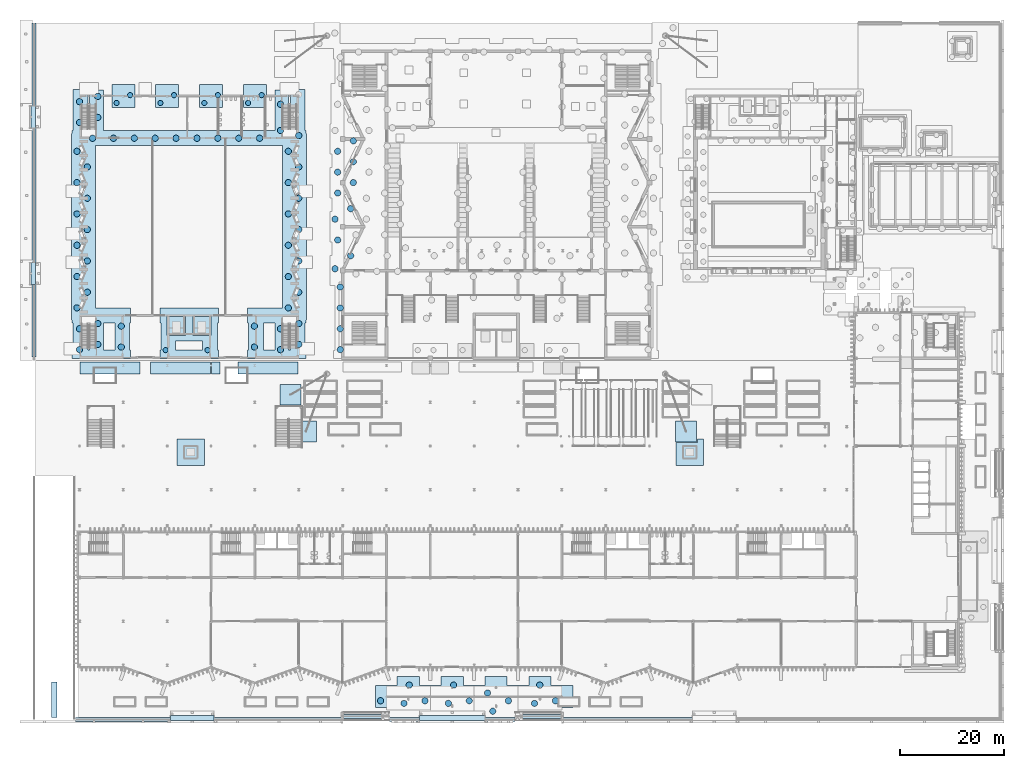
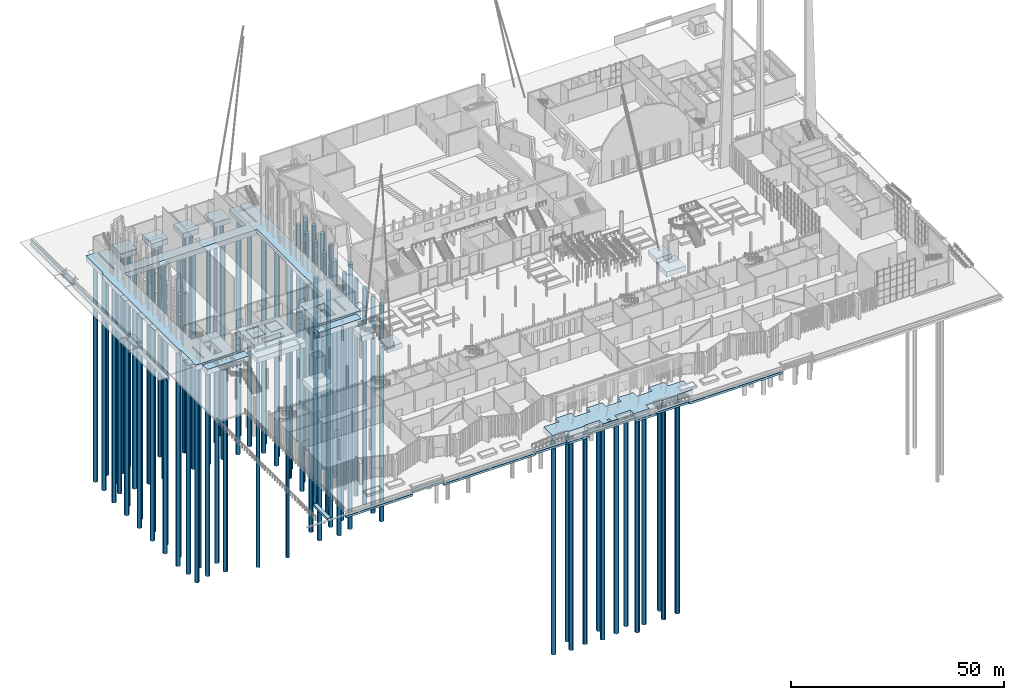
# One storey, part 1 of 108: 88 piles, 32 footings.
"""IFC4 building model written with IfcOpenShell, lengths in metres."""

from ifc_helpers import new_model, si_unit, direction, frame, origin, origin_2d, place, context, subcontext, project, spatial, polyline, rectangle, circle, outline, extrude, material, type_object, element, save


model = new_model("IFC4")

# Units and contexts
model_context = context("Model", 3, precision=1e-05, world=origin(), true_north=direction((0.0, 1.0)))
body_context = subcontext(model_context, "Body", "Model", "MODEL_VIEW")
ifc_project = project(units=[si_unit("LENGTHUNIT", "METRE"), si_unit("AREAUNIT", "SQUARE_METRE"), si_unit("VOLUMEUNIT", "CUBIC_METRE"), si_unit("PLANEANGLEUNIT", "RADIAN"), si_unit("MASSUNIT", "GRAM", prefix="KILO")], contexts=[model_context])

# Site, building, storey
site_placement = place(None, origin())
site = spatial("IfcSite", under=ifc_project, at=site_placement, CompositionType="ELEMENT")
building_placement = place(site_placement, origin())
building = spatial("IfcBuilding", under=site, at=building_placement, Name="Cresset Court Congress Hotel", CompositionType="ELEMENT")
storey_placement = place(building_placement, origin())
storey = spatial("IfcBuildingStorey", under=building, at=storey_placement, Name="L00", CompositionType="ELEMENT", Elevation=0.0)

# Footings
ifc_material_1 = material(Name="Concrete C35", Category="concrete")
footing_type_1 = type_object("IfcFootingType", Name="Anchor block 4000x4000x1500", PredefinedType="PAD_FOOTING", material=ifc_material_1)
for number, where, z_axis, x_axis, name in (
    (1, (48.800048828125, 51.800048828125, -1.800048828125), (0.0, 0.0, 1.0), (1.0, 0.0, 0.0), "Anchor block M1.1"),
    (2, (51.800048828125, 44.800048828125, -1.800048828125), (0.0, 0.0, 1.0), (1.0, 0.0, 0.0), "Anchor block M1.2"),
    (3, (124.60009765625, 44.800048828125, -1.800048828125), (0.0, 0.0, 1.0), (1.0, 0.0, 0.0), "Anchor block M2.2"),
):
    element("IfcFooting", number, at=place(storey_placement, frame(where, z_axis=z_axis, x_axis=x_axis)), inside=storey, type_object=footing_type_1, Name=name, PredefinedType="PAD_FOOTING", context=body_context, shape_type="SweptSolid", body=[
        extrude(rectangle(XDim=4.0, YDim=4.0, at=origin_2d()), origin(), (0.0, 0.0, 1.0), 1.5),
    ])

# Piles
ifc_material_2 = material(Name="Concrete C35", Category="concrete")
pile_type_1 = type_object("IfcPileType", Name="Bored pile D1000", PredefinedType="BORED", material=ifc_material_2)
for number, where, z_axis, x_axis, name in (
    (4, (15.5, 107.699951171875, -1.39990234375), (0.0, 0.0, -1.0), (1.0, 0.0, 0.0), "Pile 123-1"),
    (5, (18.10009765625, 109.199951171875, -1.39990234375), (0.0, 0.0, -1.0), (1.0, 0.0, 0.0), "Pile 123-2"),
    (6, (23.89990234375, 107.699951171875, -1.39990234375), (0.0, 0.0, -1.0), (1.0, 0.0, 0.0), "Pile 125-1"),
    (7, (26.5, 109.199951171875, -1.39990234375), (0.0, 0.0, -1.0), (1.0, 0.0, 0.0), "Pile 125-2"),
    (8, (24.89990234375, 60.35009765625, -2.800048828125), (0.0, 0.0, -1.0), (1.0, 0.0, 0.0), "Pile 126-1"),
    (9, (32.89990234375, 60.35009765625, -2.800048828125), (0.0, 0.0, -1.0), (1.0, 0.0, 0.0), "Pile 126-2"),
    (10, (32.300048828125, 107.699951171875, -1.39990234375), (0.0, 0.0, -1.0), (1.0, 0.0, 0.0), "Pile 128-1"),
    (11, (34.89990234375, 109.199951171875, -1.39990234375), (0.0, 0.0, -1.0), (1.0, 0.0, 0.0), "Pile 128-2"),
    (12, (40.699951171875, 107.699951171875, -1.39990234375), (0.0, 0.0, -1.0), (1.0, 0.0, 0.0), "Pile 130-1"),
    (13, (43.300048828125, 109.199951171875, -1.39990234375), (0.0, 0.0, -1.0), (1.0, 0.0, 0.0), "Pile 130-2"),
):
    element("IfcPile", number, at=place(storey_placement, frame(where, z_axis=z_axis, x_axis=x_axis)), inside=storey, type_object=pile_type_1, Name=name, PredefinedType="BORED", context=body_context, shape_type="SweptSolid", body=[
        extrude(circle(Radius=0.5, at=origin_2d()), origin(), (0.0, 0.0, 1.0), 62.0),
    ])
ifc_material_3 = material(Name="Concrete C35", Category="concrete")
pile_type_2 = type_object("IfcPileType", Name="Bored pile D1200", PredefinedType="BORED", material=ifc_material_3)
for number, where, z_axis, x_axis, name in (
    (14, (8.39990234375, 60.449951171875, -1.39990234375), (0.0, 0.0, -1.0), (1.0, 0.0, 0.0), "Pile 121-1"),
    (15, (46.89990234375, 60.449951171875, -1.39990234375), (0.0, 0.0, -1.0), (1.0, 0.0, 0.0), "Pile 121-2"),
    (16, (16.39990234375, 60.949951171875, -1.39990234375), (0.0, 0.0, -1.0), (1.0, 0.0, 0.0), "Pile 121-3"),
    (17, (41.89990234375, 60.949951171875, -1.39990234375), (0.0, 0.0, -1.0), (1.0, 0.0, 0.0), "Pile 121-4"),
    (18, (11.89990234375, 61.449951171875, -1.39990234375), (0.0, 0.0, -1.0), (1.0, 0.0, 0.0), "Pile 121-5"),
    (19, (50.39990234375, 61.449951171875, -1.39990234375), (0.0, 0.0, -1.0), (1.0, 0.0, 0.0), "Pile 121-6"),
    (20, (8.39990234375, 64.449951171875, -1.39990234375), (0.0, 0.0, -1.0), (1.0, 0.0, 0.0), "Pile 121-7"),
    (21, (46.89990234375, 64.449951171875, -1.39990234375), (0.0, 0.0, -1.0), (1.0, 0.0, 0.0), "Pile 121-8"),
    (22, (16.39990234375, 64.949951171875, -1.39990234375), (0.0, 0.0, -1.0), (1.0, 0.0, 0.0), "Pile 121-9"),
    (23, (41.89990234375, 64.949951171875, -1.39990234375), (0.0, 0.0, -1.0), (1.0, 0.0, 0.0), "Pile 121-10"),
    (24, (11.89990234375, 65.449951171875, -1.39990234375), (0.0, 0.0, -1.0), (1.0, 0.0, 0.0), "Pile 121-11"),
    (25, (50.39990234375, 65.449951171875, -1.39990234375), (0.0, 0.0, -1.0), (1.0, 0.0, 0.0), "Pile 121-12"),
    (26, (7.89990234375, 68.449951171875, -1.39990234375), (0.0, 0.0, -1.0), (1.0, 0.0, 0.0), "Pile 121-13"),
    (27, (48.39990234375, 68.449951171875, -1.39990234375), (0.0, 0.0, -1.0), (1.0, 0.0, 0.0), "Pile 121-14"),
    (28, (9.89990234375, 71.449951171875, -1.39990234375), (0.0, 0.0, -1.0), (1.0, 0.0, 0.0), "Pile 121-15"),
    (29, (50.39990234375, 71.449951171875, -1.39990234375), (0.0, 0.0, -1.0), (1.0, 0.0, 0.0), "Pile 121-16"),
    (30, (7.89990234375, 74.449951171875, -1.39990234375), (0.0, 0.0, -1.0), (1.0, 0.0, 0.0), "Pile 121-17"),
    (31, (48.39990234375, 74.449951171875, -1.39990234375), (0.0, 0.0, -1.0), (1.0, 0.0, 0.0), "Pile 121-18"),
    (32, (9.89990234375, 77.449951171875, -1.39990234375), (0.0, 0.0, -1.0), (1.0, 0.0, 0.0), "Pile 121-19"),
    (33, (50.39990234375, 77.449951171875, -1.39990234375), (0.0, 0.0, -1.0), (1.0, 0.0, 0.0), "Pile 121-20"),
    (34, (7.89990234375, 80.449951171875, -1.39990234375), (0.0, 0.0, -1.0), (1.0, 0.0, 0.0), "Pile 121-21"),
    (35, (48.39990234375, 80.449951171875, -1.39990234375), (0.0, 0.0, -1.0), (1.0, 0.0, 0.0), "Pile 121-22"),
    (36, (9.89990234375, 83.449951171875, -1.39990234375), (0.0, 0.0, -1.0), (1.0, 0.0, 0.0), "Pile 121-23"),
    (37, (50.39990234375, 83.449951171875, -1.39990234375), (0.0, 0.0, -1.0), (1.0, 0.0, 0.0), "Pile 121-24"),
    (38, (7.89990234375, 86.449951171875, -1.39990234375), (0.0, 0.0, -1.0), (1.0, 0.0, 0.0), "Pile 121-25"),
    (39, (48.39990234375, 86.449951171875, -1.39990234375), (0.0, 0.0, -1.0), (1.0, 0.0, 0.0), "Pile 121-26"),
    (40, (9.89990234375, 89.449951171875, -1.39990234375), (0.0, 0.0, -1.0), (1.0, 0.0, 0.0), "Pile 121-27"),
    (41, (50.39990234375, 89.449951171875, -1.39990234375), (0.0, 0.0, -1.0), (1.0, 0.0, 0.0), "Pile 121-28"),
    (42, (7.89990234375, 92.449951171875, -1.39990234375), (0.0, 0.0, -1.0), (1.0, 0.0, 0.0), "Pile 121-29"),
    (43, (48.39990234375, 92.449951171875, -1.39990234375), (0.0, 0.0, -1.0), (1.0, 0.0, 0.0), "Pile 121-30"),
    (44, (9.89990234375, 95.449951171875, -1.39990234375), (0.0, 0.0, -1.0), (1.0, 0.0, 0.0), "Pile 121-31"),
    (45, (50.39990234375, 95.449951171875, -1.39990234375), (0.0, 0.0, -1.0), (1.0, 0.0, 0.0), "Pile 121-32"),
    (46, (7.89990234375, 98.449951171875, -1.39990234375), (0.0, 0.0, -1.0), (1.0, 0.0, 0.0), "Pile 121-33"),
    (47, (48.39990234375, 98.449951171875, -1.39990234375), (0.0, 0.0, -1.0), (1.0, 0.0, 0.0), "Pile 121-34"),
    (48, (10.89990234375, 100.949951171875, -1.39990234375), (0.0, 0.0, -1.0), (1.0, 0.0, 0.0), "Pile 121-35"),
    (49, (14.89990234375, 100.949951171875, -1.39990234375), (0.0, 0.0, -1.0), (1.0, 0.0, 0.0), "Pile 121-36"),
    (50, (18.89990234375, 100.949951171875, -1.39990234375), (0.0, 0.0, -1.0), (1.0, 0.0, 0.0), "Pile 121-37"),
    (51, (22.89990234375, 100.949951171875, -1.39990234375), (0.0, 0.0, -1.0), (1.0, 0.0, 0.0), "Pile 121-38"),
    (52, (26.89990234375, 100.949951171875, -1.39990234375), (0.0, 0.0, -1.0), (1.0, 0.0, 0.0), "Pile 121-39"),
    (53, (30.89990234375, 100.949951171875, -1.39990234375), (0.0, 0.0, -1.0), (1.0, 0.0, 0.0), "Pile 121-40"),
    (54, (34.89990234375, 100.949951171875, -1.39990234375), (0.0, 0.0, -1.0), (1.0, 0.0, 0.0), "Pile 121-41"),
    (55, (38.89990234375, 100.949951171875, -1.39990234375), (0.0, 0.0, -1.0), (1.0, 0.0, 0.0), "Pile 121-42"),
    (56, (42.89990234375, 100.949951171875, -1.39990234375), (0.0, 0.0, -1.0), (1.0, 0.0, 0.0), "Pile 121-43"),
    (57, (50.39990234375, 101.449951171875, -1.39990234375), (0.0, 0.0, -1.0), (1.0, 0.0, 0.0), "Pile 121-44"),
    (58, (46.89990234375, 102.449951171875, -1.39990234375), (0.0, 0.0, -1.0), (1.0, 0.0, 0.0), "Pile 121-45"),
    (59, (8.39990234375, 103.949951171875, -1.39990234375), (0.0, 0.0, -1.0), (1.0, 0.0, 0.0), "Pile 121-46"),
    (60, (11.89990234375, 104.949951171875, -1.39990234375), (0.0, 0.0, -1.0), (1.0, 0.0, 0.0), "Pile 121-47"),
    (61, (46.89990234375, 107.449951171875, -1.39990234375), (0.0, 0.0, -1.0), (1.0, 0.0, 0.0), "Pile 121-49"),
    (62, (8.39990234375, 107.949951171875, -1.39990234375), (0.0, 0.0, -1.0), (1.0, 0.0, 0.0), "Pile 121-50"),
    (63, (11.89990234375, 108.949951171875, -1.39990234375), (0.0, 0.0, -1.0), (1.0, 0.0, 0.0), "Pile 121-51"),
    (64, (58.35009765625, 60.449951171875, -1.39990234375), (0.0, 0.0, -1.0), (1.0, 0.0, 0.0), "Pile 131-1"),
    (65, (58.35009765625, 64.449951171875, -1.39990234375), (0.0, 0.0, -1.0), (1.0, 0.0, 0.0), "Pile 131-3"),
    (66, (58.35009765625, 68.449951171875, -1.39990234375), (0.0, 0.0, -1.0), (1.0, 0.0, 0.0), "Pile 131-7"),
    (67, (58.35009765625, 72.449951171875, -1.39990234375), (0.0, 0.0, -1.0), (1.0, 0.0, 0.0), "Pile 131-13"),
    (68, (57.35009765625, 75.949951171875, -1.39990234375), (0.0, 0.0, -1.0), (1.0, 0.0, 0.0), "Pile 131-28"),
    (69, (60.35009765625, 78.449951171875, -1.39990234375), (0.0, 0.0, -1.0), (1.0, 0.0, 0.0), "Pile 131-34"),
    (70, (57.85009765625, 81.449951171875, -1.39990234375), (0.0, 0.0, -1.0), (1.0, 0.0, 0.0), "Pile 131-49"),
    (71, (57.35009765625, 85.449951171875, -1.39990234375), (0.0, 0.0, -1.0), (1.0, 0.0, 0.0), "Pile 131-60"),
    (72, (60.35009765625, 87.449951171875, -1.39990234375), (0.0, 0.0, -1.0), (1.0, 0.0, 0.0), "Pile 131-67"),
    (73, (57.85009765625, 90.449951171875, -1.39990234375), (0.0, 0.0, -1.0), (1.0, 0.0, 0.0), "Pile 131-75"),
    (74, (60.85009765625, 92.449951171875, -1.39990234375), (0.0, 0.0, -1.0), (1.0, 0.0, 0.0), "Pile 131-80"),
    (75, (57.85009765625, 94.449951171875, -1.39990234375), (0.0, 0.0, -1.0), (1.0, 0.0, 0.0), "Pile 131-86"),
    (76, (60.85009765625, 96.449951171875, -1.39990234375), (0.0, 0.0, -1.0), (1.0, 0.0, 0.0), "Pile 131-92"),
    (77, (57.85009765625, 98.449951171875, -1.39990234375), (0.0, 0.0, -1.0), (1.0, 0.0, 0.0), "Pile 131-95"),
    (78, (60.85009765625, 100.449951171875, -1.39990234375), (0.0, 0.0, -1.0), (1.0, 0.0, 0.0), "Pile 131-100"),
    (79, (87.5634765625, -8.8095703125, -1.39990234375), (0.0, 0.0, -1.0), (1.0, 0.0, 0.0), "Pile 133-1"),
    (80, (70.5634765625, -7.3095703125, -1.39990234375), (0.0, 0.0, -1.0), (1.0, 0.0, 0.0), "Pile 133-2"),
    (81, (79.0634765625, -7.3095703125, -1.39990234375), (0.0, 0.0, -1.0), (1.0, 0.0, 0.0), "Pile 133-3"),
    (82, (95.5634765625, -7.3095703125, -1.39990234375), (0.0, 0.0, -1.0), (1.0, 0.0, 0.0), "Pile 133-4"),
    (83, (66.0634765625, -6.8095703125, -1.39990234375), (0.0, 0.0, -1.0), (1.0, 0.0, 0.0), "Pile 133-5"),
    (84, (74.5634765625, -6.8095703125, -1.39990234375), (0.0, 0.0, -1.0), (1.0, 0.0, 0.0), "Pile 133-6"),
    (85, (83.0634765625, -6.8095703125, -1.39990234375), (0.0, 0.0, -1.0), (1.0, 0.0, 0.0), "Pile 133-7"),
    (86, (90.5634765625, -6.8095703125, -1.39990234375), (0.0, 0.0, -1.0), (1.0, 0.0, 0.0), "Pile 133-8"),
    (87, (99.5634765625, -6.8095703125, -1.39990234375), (0.0, 0.0, -1.0), (1.0, 0.0, 0.0), "Pile 133-9"),
    (88, (86.5634765625, -5.3095703125, -1.39990234375), (0.0, 0.0, -1.0), (1.0, 0.0, 0.0), "Pile 133-10"),
    (89, (71.5634765625, -3.8095703125, -1.39990234375), (0.0, 0.0, -1.0), (1.0, 0.0, 0.0), "Pile 133-11"),
    (90, (80.0634765625, -3.8095703125, -1.39990234375), (0.0, 0.0, -1.0), (1.0, 0.0, 0.0), "Pile 133-12"),
    (91, (96.5634765625, -3.8095703125, -1.39990234375), (0.0, 0.0, -1.0), (1.0, 0.0, 0.0), "Pile 133-13"),
):
    element("IfcPile", number, at=place(storey_placement, frame(where, z_axis=z_axis, x_axis=x_axis)), inside=storey, type_object=pile_type_2, Name=name, PredefinedType="BORED", context=body_context, shape_type="SweptSolid", body=[
        extrude(circle(Radius=0.60009765625, at=origin_2d()), origin(), (0.0, 0.0, 1.0), 62.0),
    ])

# Footings
ifc_material_4 = material(Name="Concrete C35", Category="concrete")
footing_type_2 = type_object("IfcFootingType", Name="Ground pad 11.48x2.28", PredefinedType="PAD_FOOTING", material=ifc_material_4)
footing_1_placement = place(storey_placement, frame((0.0, 0.0, -1.5)))
element("IfcFooting", 92, at=footing_1_placement, inside=storey, type_object=footing_type_2, Name="Ground pad GP122", PredefinedType="PAD_FOOTING", context=body_context, shape_type="SweptSolid", body=[
    extrude(outline(polyline([(8.52001953125, 58.080078125), (20.0, 58.080078125), (20.0, 55.800048828125), (8.52001953125, 55.800048828125), (8.52001953125, 58.080078125)])), origin(), (0.0, 0.0, 1.0), 1.5),
])
footing_2_placement = place(storey_placement, frame((0.0, 0.0, -1.5)))
element("IfcFooting", 93, at=footing_2_placement, inside=storey, type_object=footing_type_2, Name="Ground pad GP129", PredefinedType="PAD_FOOTING", context=body_context, shape_type="SweptSolid", body=[
    extrude(outline(polyline([(50.280029296875, 58.080078125), (50.280029296875, 55.800048828125), (38.800048828125, 55.800048828125), (38.800048828125, 58.080078125), (50.280029296875, 58.080078125)])), origin(), (0.0, 0.0, 1.0), 1.5),
])
ifc_material_5 = material(Name="Concrete C35", Category="concrete")
footing_type_3 = type_object("IfcFootingType", Name="Ground pad 5.25x5.05", PredefinedType="PAD_FOOTING", material=ifc_material_5)
footing_3_placement = place(storey_placement, frame((0.0, 0.0, -2.949951171875)))
element("IfcFooting", 94, at=footing_3_placement, inside=storey, type_object=footing_type_3, Name="Ground pad GP127", PredefinedType="PAD_FOOTING", context=body_context, shape_type="SweptSolid", body=[
    extrude(outline(polyline([(27.074951171875, 43.324951171875), (32.324951171875, 43.324951171875), (32.324951171875, 38.27490234375), (27.074951171875, 38.27490234375), (27.074951171875, 43.324951171875)])), origin(), (0.0, 0.0, 1.0), 1.5),
])
ifc_material_6 = material(Name="Concrete C35", Category="concrete")
footing_type_4 = type_object("IfcFootingType", Name="Ground pad group 23.8 m2", PredefinedType="PAD_FOOTING", material=ifc_material_6)
footing_4_placement = place(storey_placement, frame((0.0, 0.0, -2.949951171875)))
element("IfcFooting", 95, at=footing_4_placement, inside=storey, type_object=footing_type_4, Name="Ground pad GP142", PredefinedType="PAD_FOOTING", context=body_context, shape_type="SweptSolid", body=[
    extrude(outline(polyline([(122.675048828125, 42.64990234375), (126.75, 42.64990234375), (126.75, 43.324951171875), (127.925048828125, 43.324951171875), (127.925048828125, 38.27490234375), (122.675048828125, 38.27490234375), (122.675048828125, 42.64990234375)])), origin(), (0.0, 0.0, 1.0), 1.5),
])
ifc_material_7 = material(Name="Concrete C35", Category="concrete")
footing_type_5 = type_object("IfcFootingType", Name="Ground pad group 29.8 m2", PredefinedType="PAD_FOOTING", material=ifc_material_7)
footing_5_placement = place(storey_placement, frame((0.0, 0.0, -2.89990234375)))
element("IfcFooting", 96, at=footing_5_placement, inside=storey, type_object=footing_type_5, Name="Ground pad GP124", PredefinedType="PAD_FOOTING", context=body_context, shape_type="SweptSolid", body=[
    extrude(outline(polyline([(22.0, 58.080078125), (33.47998046875, 58.080078125), (33.47998046875, 57.580078125), (33.719970703125, 57.580078125), (33.719970703125, 58.080078125), (35.280029296875, 58.080078125), (35.280029296875, 55.800048828125), (34.080078125, 55.800048828125), (33.719970703125, 55.800048828125), (33.719970703125, 57.219970703125), (33.47998046875, 57.219970703125), (33.47998046875, 55.800048828125), (33.1201171875, 55.800048828125), (22.0, 55.800048828125), (22.0, 58.080078125)])), origin(), (0.0, 0.0, 1.0), 1.5),
])
ifc_material_8 = material(Name="Concrete C35", Category="concrete")
footing_type_6 = type_object("IfcFootingType", Name="Lift pit raft 300 C35", PredefinedType="PAD_FOOTING", material=ifc_material_8)
footing_6_placement = place(storey_placement, frame((0.0, 0.0, -1.699951171875)))
element("IfcFooting", 97, at=footing_6_placement, inside=storey, type_object=footing_type_6, Name="Lift pit raft 1", PredefinedType="PAD_FOOTING", context=body_context, shape_type="SweptSolid", body=[
    extrude(outline(polyline([(25.35009765625, 63.35009765625), (28.550048828125, 63.35009765625), (28.550048828125, 66.800048828125), (25.35009765625, 66.800048828125), (25.35009765625, 63.35009765625)])), origin(), (0.0, 0.0, 1.0), 0.300048828125),
])
footing_7_placement = place(storey_placement, frame((0.0, 0.0, -1.699951171875)))
element("IfcFooting", 98, at=footing_7_placement, inside=storey, type_object=footing_type_6, Name="Lift pit raft 2", PredefinedType="PAD_FOOTING", context=body_context, shape_type="SweptSolid", body=[
    extrude(outline(polyline([(30.25, 63.35009765625), (33.449951171875, 63.35009765625), (33.449951171875, 66.800048828125), (30.25, 66.800048828125), (30.25, 63.35009765625)])), origin(), (0.0, 0.0, 1.0), 0.300048828125),
])
ifc_material_9 = material(Name="Concrete C35", Category="concrete")
footing_type_7 = type_object("IfcFootingType", Name="Pile cap 4.4x4.4, 2 piles", PredefinedType="PILE_CAP", material=ifc_material_9)
footing_8_placement = place(storey_placement, frame((0.0, 0.0, -1.5)))
element("IfcFooting", 99, at=footing_8_placement, inside=storey, type_object=footing_type_7, Name="Pile cap PC123", PredefinedType="PILE_CAP", context=body_context, shape_type="SweptSolid", body=[
    extrude(outline(polyline([(14.60009765625, 111.199951171875), (19.0, 111.199951171875), (19.0, 106.800048828125), (14.60009765625, 106.800048828125), (14.60009765625, 111.199951171875)])), origin(), (0.0, 0.0, 1.0), 1.5),
])
footing_9_placement = place(storey_placement, frame((0.0, 0.0, -1.5)))
element("IfcFooting", 100, at=footing_9_placement, inside=storey, type_object=footing_type_7, Name="Pile cap PC125", PredefinedType="PILE_CAP", context=body_context, shape_type="SweptSolid", body=[
    extrude(outline(polyline([(27.39990234375, 111.199951171875), (27.39990234375, 106.800048828125), (23.0, 106.800048828125), (23.0, 111.199951171875), (27.39990234375, 111.199951171875)])), origin(), (0.0, 0.0, 1.0), 1.5),
])
footing_10_placement = place(storey_placement, frame((0.0, 0.0, -1.5)))
element("IfcFooting", 101, at=footing_10_placement, inside=storey, type_object=footing_type_7, Name="Pile cap PC128", PredefinedType="PILE_CAP", context=body_context, shape_type="SweptSolid", body=[
    extrude(outline(polyline([(31.39990234375, 111.199951171875), (35.800048828125, 111.199951171875), (35.800048828125, 106.800048828125), (31.39990234375, 106.800048828125), (31.39990234375, 111.199951171875)])), origin(), (0.0, 0.0, 1.0), 1.5),
])
footing_11_placement = place(storey_placement, frame((0.0, 0.0, -1.5)))
element("IfcFooting", 102, at=footing_11_placement, inside=storey, type_object=footing_type_7, Name="Pile cap PC130", PredefinedType="PILE_CAP", context=body_context, shape_type="SweptSolid", body=[
    extrude(outline(polyline([(39.800048828125, 111.199951171875), (44.199951171875, 111.199951171875), (44.199951171875, 106.800048828125), (39.800048828125, 106.800048828125), (39.800048828125, 111.199951171875)])), origin(), (0.0, 0.0, 1.0), 1.5),
])
ifc_material_10 = material(Name="Concrete C35", Category="concrete")
footing_type_8 = type_object("IfcFootingType", Name="Pile cap group 206.8 m2, 13 piles", PredefinedType="PILE_CAP", material=ifc_material_10)
footing_12_placement = place(storey_placement, frame((0.0, 0.0, -1.5)))
element("IfcFooting", 103, at=footing_12_placement, inside=storey, type_object=footing_type_8, Name="Pile cap PC133", PredefinedType="PILE_CAP", context=body_context, shape_type="SweptSolid", body=[
    extrude(outline(polyline([(73.510009765625, -8.135986328125), (73.510009765625, -8.408935546875), (69.291015625, -8.408935546875), (69.291015625, -8.135986328125), (65.06396484375, -8.135986328125), (65.06396484375, -3.864013671875), (69.263916015625, -3.864013671875), (69.263916015625, -2.1630859375), (73.537109375, -2.1630859375), (73.537109375, -3.864013671875), (77.6630859375, -3.864013671875), (77.6630859375, -2.1630859375), (81.93603515625, -2.1630859375), (81.93603515625, -3.864013671875), (86.06396484375, -3.864013671875), (86.06396484375, -2.1630859375), (90.3369140625, -2.1630859375), (90.3369140625, -3.864013671875), (94.462890625, -3.864013671875), (94.462890625, -2.1630859375), (98.736083984375, -2.1630859375), (98.736083984375, -3.864013671875), (102.93603515625, -3.864013671875), (102.93603515625, -8.135986328125), (98.708984375, -8.135986328125), (98.708984375, -8.408935546875), (94.489990234375, -8.408935546875), (94.489990234375, -8.135986328125), (90.30908203125, -8.135986328125), (90.30908203125, -9.80908203125), (86.091064453125, -9.80908203125), (86.091064453125, -9.699951171875), (86.14990234375, -9.699951171875), (86.14990234375, -9.0), (86.091064453125, -9.0), (86.091064453125, -8.135986328125), (81.908935546875, -8.135986328125), (81.908935546875, -9.80908203125), (77.69091796875, -9.80908203125), (77.69091796875, -8.135986328125), (73.510009765625, -8.135986328125)]), holes=[polyline([(79.449951171875, -8.699951171875), (79.449951171875, -9.39990234375), (80.14990234375, -9.39990234375), (80.14990234375, -8.699951171875), (79.449951171875, -8.699951171875)])]), origin(), (0.0, 0.0, 1.0), 1.5),
])
ifc_material_11 = material(Name="Concrete C35", Category="concrete")
footing_type_9 = type_object("IfcFootingType", Name="Pile cap group 683.8 m2, 52 piles", PredefinedType="PILE_CAP", material=ifc_material_11)
footing_13_placement = place(storey_placement, frame((0.0, 0.0, -1.5)))
element("IfcFooting", 104, at=footing_13_placement, inside=storey, type_object=footing_type_9, Name="Pile cap PC121", PredefinedType="PILE_CAP", context=body_context, shape_type="SweptSolid", body=[
    extrude(outline(polyline([(7.199951171875, 110.300048828125), (10.0, 110.300048828125), (10.0, 102.39990234375), (10.35009765625, 102.39990234375), (10.35009765625, 110.199951171875), (12.949951171875, 110.199951171875), (12.949951171875, 102.39990234375), (45.85009765625, 102.39990234375), (45.85009765625, 110.199951171875), (48.449951171875, 110.199951171875), (48.449951171875, 102.39990234375), (48.800048828125, 102.39990234375), (48.800048828125, 110.300048828125), (51.60009765625, 110.300048828125), (51.60009765625, 102.39990234375), (51.800048828125, 102.39990234375), (51.800048828125, 101.85009765625), (51.89990234375, 101.85009765625), (51.89990234375, 66.14990234375), (51.800048828125, 66.14990234375), (51.800048828125, 65.60009765625), (51.60009765625, 65.60009765625), (51.60009765625, 60.39990234375), (51.800048828125, 60.39990234375), (51.800048828125, 58.719970703125), (40.60009765625, 58.719970703125), (40.60009765625, 60.39990234375), (40.800048828125, 60.39990234375), (40.800048828125, 65.60009765625), (40.60009765625, 65.60009765625), (40.60009765625, 68.39990234375), (47.300048828125, 68.39990234375), (47.300048828125, 99.60009765625), (11.5, 99.60009765625), (11.5, 68.39990234375), (18.199951171875, 68.39990234375), (18.199951171875, 65.60009765625), (18.0, 65.60009765625), (18.0, 60.39990234375), (18.199951171875, 60.39990234375), (18.199951171875, 58.719970703125), (7.0, 58.719970703125), (7.0, 60.39990234375), (7.199951171875, 60.39990234375), (7.199951171875, 65.60009765625), (7.0, 65.60009765625), (7.0, 66.14990234375), (6.89990234375, 66.14990234375), (6.89990234375, 101.85009765625), (7.0, 101.85009765625), (7.0, 102.39990234375), (7.199951171875, 102.39990234375), (7.199951171875, 110.300048828125)]), holes=[polyline([(48.800048828125, 65.60009765625), (48.449951171875, 65.60009765625), (48.449951171875, 60.39990234375), (48.800048828125, 60.39990234375), (48.800048828125, 65.60009765625)]), polyline([(45.85009765625, 65.60009765625), (43.60009765625, 65.60009765625), (43.60009765625, 60.39990234375), (45.85009765625, 60.39990234375), (45.85009765625, 65.60009765625)]), polyline([(12.949951171875, 60.39990234375), (15.199951171875, 60.39990234375), (15.199951171875, 65.60009765625), (12.949951171875, 65.60009765625), (12.949951171875, 60.39990234375)]), polyline([(10.0, 60.39990234375), (10.35009765625, 60.39990234375), (10.35009765625, 65.60009765625), (10.0, 65.60009765625), (10.0, 60.39990234375)])]), origin(), (0.0, 0.0, 1.0), 1.5),
])
ifc_material_12 = material(Name="Concrete C35", Category="concrete")
footing_type_10 = type_object("IfcFootingType", Name="Pile cap group 71 m2, 2 piles", PredefinedType="PILE_CAP", material=ifc_material_12)
footing_14_placement = place(storey_placement, frame((0.0, 0.0, -2.89990234375)))
element("IfcFooting", 105, at=footing_14_placement, inside=storey, type_object=footing_type_10, Name="Pile cap PC126", PredefinedType="PILE_CAP", context=body_context, shape_type="SweptSolid", body=[
    extrude(outline(polyline([(34.800048828125, 60.39990234375), (35.0, 60.39990234375), (35.0, 58.719970703125), (23.800048828125, 58.719970703125), (23.800048828125, 60.39990234375), (24.0, 60.39990234375), (24.0, 65.60009765625), (23.800048828125, 65.60009765625), (23.800048828125, 68.39990234375), (35.0, 68.39990234375), (35.0, 65.60009765625), (34.800048828125, 65.60009765625), (34.800048828125, 60.39990234375)]), holes=[polyline([(32.0, 60.39990234375), (32.0, 62.14990234375), (26.800048828125, 62.14990234375), (26.800048828125, 60.39990234375), (32.0, 60.39990234375)]), polyline([(28.699951171875, 66.949951171875), (25.199951171875, 66.949951171875), (25.199951171875, 63.199951171875), (28.699951171875, 63.199951171875), (28.699951171875, 66.949951171875)]), polyline([(33.60009765625, 63.199951171875), (33.60009765625, 66.949951171875), (30.10009765625, 66.949951171875), (30.10009765625, 63.199951171875), (33.60009765625, 63.199951171875)])]), origin(), (0.0, 0.0, 1.0), 1.5),
])
ifc_material_13 = material(Name="Concrete C35", Category="concrete")
footing_type_11 = type_object("IfcFootingType", Name="Strip footing 1000x600", PredefinedType="STRIP_FOOTING", material=ifc_material_13)
footing_15_placement = place(storey_placement, frame((0.0, 0.0, -1.39990234375)))
element("IfcFooting", 106, at=footing_15_placement, inside=storey, type_object=footing_type_11, Name="Strip footing ramp head landing", PredefinedType="STRIP_FOOTING", context=body_context, shape_type="SweptSolid", body=[
    extrude(outline(polyline([(3.074951171875, -10.0), (3.074951171875, -3.25), (4.074951171875, -3.25), (4.074951171875, -10.0), (3.074951171875, -10.0)])), origin(), (0.0, 0.0, 1.0), 0.599853515625),
])
footing_16_placement = place(storey_placement, frame((0.0, 0.0, -1.800048828125)))
element("IfcFooting", 107, at=footing_16_placement, inside=storey, type_object=footing_type_11, Name="Strip footing PS01", PredefinedType="STRIP_FOOTING", context=body_context, shape_type="SweptSolid", body=[
    extrude(outline(polyline([(7.64990234375, -10.0), (25.800048828125, -10.0), (25.800048828125, -10.800048828125), (7.64990234375, -10.800048828125), (7.64990234375, -10.0)])), origin(), (0.0, 0.0, 1.0), 0.60009765625),
])
footing_17_placement = place(storey_placement, frame((0.0, 0.0, -1.800048828125)))
element("IfcFooting", 108, at=footing_17_placement, inside=storey, type_object=footing_type_11, Name="Strip footing PS02", PredefinedType="STRIP_FOOTING", context=body_context, shape_type="SweptSolid", body=[
    extrude(outline(polyline([(34.199951171875, -10.0), (58.89990234375, -10.0), (58.89990234375, -10.800048828125), (34.199951171875, -10.800048828125), (34.199951171875, -10.0)])), origin(), (0.0, 0.0, 1.0), 0.60009765625),
])
footing_18_placement = place(storey_placement, frame((0.0, 0.0, -1.800048828125)))
element("IfcFooting", 109, at=footing_18_placement, inside=storey, type_object=footing_type_11, Name="Strip footing PS03", PredefinedType="STRIP_FOOTING", context=body_context, shape_type="SweptSolid", body=[
    extrude(outline(polyline([(67.800048828125, -10.0), (73.5, -10.0), (73.5, -10.800048828125), (67.800048828125, -10.800048828125), (67.800048828125, -10.0)])), origin(), (0.0, 0.0, 1.0), 0.60009765625),
])
footing_19_placement = place(storey_placement, frame((0.0, 0.0, -1.800048828125)))
element("IfcFooting", 110, at=footing_19_placement, inside=storey, type_object=footing_type_11, Name="Strip footing PS04", PredefinedType="STRIP_FOOTING", context=body_context, shape_type="SweptSolid", body=[
    extrude(outline(polyline([(86.10009765625, -10.0), (91.800048828125, -10.0), (91.800048828125, -10.800048828125), (86.10009765625, -10.800048828125), (86.10009765625, -10.0)])), origin(), (0.0, 0.0, 1.0), 0.60009765625),
])
footing_20_placement = place(storey_placement, frame((0.0, 0.0, -1.800048828125)))
element("IfcFooting", 111, at=footing_20_placement, inside=storey, type_object=footing_type_11, Name="Strip footing PS05", PredefinedType="STRIP_FOOTING", context=body_context, shape_type="SweptSolid", body=[
    extrude(outline(polyline([(100.699951171875, -10.0), (125.800048828125, -10.0), (125.800048828125, -10.800048828125), (100.699951171875, -10.800048828125), (100.699951171875, -10.0)])), origin(), (0.0, 0.0, 1.0), 0.60009765625),
])
footing_21_placement = place(storey_placement, frame((0.0, 0.0, -1.800048828125)))
element("IfcFooting", 112, at=footing_21_placement, inside=storey, type_object=footing_type_11, Name="Strip footing PW01", PredefinedType="STRIP_FOOTING", context=body_context, shape_type="SweptSolid", body=[
    extrude(outline(polyline([(-0.699951171875, 59.0), (-0.699951171875, 72.89990234375), (0.10009765625, 72.89990234375), (0.10009765625, 59.0), (-0.699951171875, 59.0)])), origin(), (0.0, 0.0, 1.0), 0.60009765625),
])
footing_22_placement = place(storey_placement, frame((0.0, 0.0, -1.800048828125)))
element("IfcFooting", 113, at=footing_22_placement, inside=storey, type_object=footing_type_11, Name="Strip footing PW02", PredefinedType="STRIP_FOOTING", context=body_context, shape_type="SweptSolid", body=[
    extrude(outline(polyline([(-0.699951171875, 77.10009765625), (-0.699951171875, 102.89990234375), (0.10009765625, 102.89990234375), (0.10009765625, 77.10009765625), (-0.699951171875, 77.10009765625)])), origin(), (0.0, 0.0, 1.0), 0.60009765625),
])
footing_23_placement = place(storey_placement, frame((0.0, 0.0, -1.800048828125)))
element("IfcFooting", 114, at=footing_23_placement, inside=storey, type_object=footing_type_11, Name="Strip footing PW03", PredefinedType="STRIP_FOOTING", context=body_context, shape_type="SweptSolid", body=[
    extrude(outline(polyline([(-0.699951171875, 107.10009765625), (-0.699951171875, 123.0), (0.10009765625, 123.0), (0.10009765625, 107.10009765625), (-0.699951171875, 107.10009765625)])), origin(), (0.0, 0.0, 1.0), 0.60009765625),
])
footing_24_placement = place(storey_placement, frame((0.0, 0.0, -1.199951171875)))
element("IfcFooting", 115, at=footing_24_placement, inside=storey, type_object=footing_type_11, Name="Strip footing steps S01", PredefinedType="STRIP_FOOTING", context=body_context, shape_type="SweptSolid", body=[
    extrude(outline(polyline([(25.800048828125, -9.64990234375), (34.199951171875, -9.64990234375), (34.199951171875, -10.550048828125), (25.800048828125, -10.550048828125), (25.800048828125, -9.64990234375)])), origin(), (0.0, 0.0, 1.0), 0.550048828125),
])
footing_25_placement = place(storey_placement, frame((0.0, 0.0, -1.199951171875)))
element("IfcFooting", 116, at=footing_25_placement, inside=storey, type_object=footing_type_11, Name="Strip footing steps S02", PredefinedType="STRIP_FOOTING", context=body_context, shape_type="SweptSolid", body=[
    extrude(outline(polyline([(73.5, -9.64990234375), (86.10009765625, -9.64990234375), (86.10009765625, -10.550048828125), (73.5, -10.550048828125), (73.5, -9.64990234375)])), origin(), (0.0, 0.0, 1.0), 0.550048828125),
])
footing_26_placement = place(storey_placement, frame((0.0, 0.0, -1.199951171875)))
element("IfcFooting", 117, at=footing_26_placement, inside=storey, type_object=footing_type_11, Name="Strip footing steps W01", PredefinedType="STRIP_FOOTING", context=body_context, shape_type="SweptSolid", body=[
    extrude(outline(polyline([(-0.89990234375, 72.89990234375), (-0.89990234375, 77.10009765625), (0.0, 77.10009765625), (0.0, 72.89990234375), (-0.89990234375, 72.89990234375)])), origin(), (0.0, 0.0, 1.0), 0.550048828125),
])
footing_27_placement = place(storey_placement, frame((0.0, 0.0, -1.199951171875)))
element("IfcFooting", 118, at=footing_27_placement, inside=storey, type_object=footing_type_11, Name="Strip footing steps W02", PredefinedType="STRIP_FOOTING", context=body_context, shape_type="SweptSolid", body=[
    extrude(outline(polyline([(-0.89990234375, 102.89990234375), (-0.89990234375, 107.10009765625), (0.0, 107.10009765625), (0.0, 102.89990234375), (-0.89990234375, 102.89990234375)])), origin(), (0.0, 0.0, 1.0), 0.550048828125),
])
footing_28_placement = place(storey_placement, frame((0.0, 0.0, -2.0)))
element("IfcFooting", 119, at=footing_28_placement, inside=storey, type_object=footing_type_11, Name="Strip footing ramp S01", PredefinedType="STRIP_FOOTING", context=body_context, shape_type="SweptSolid", body=[
    extrude(outline(polyline([(58.800048828125, -9.39990234375), (67.699951171875, -9.39990234375), (67.699951171875, -10.199951171875), (58.800048828125, -10.199951171875), (58.800048828125, -9.39990234375)])), origin(), (0.0, 0.0, 1.0), 0.60009765625),
])
footing_29_placement = place(storey_placement, frame((0.0, 0.0, -2.0)))
element("IfcFooting", 120, at=footing_29_placement, inside=storey, type_object=footing_type_11, Name="Strip footing ramp S02", PredefinedType="STRIP_FOOTING", context=body_context, shape_type="SweptSolid", body=[
    extrude(outline(polyline([(100.800048828125, -10.199951171875), (91.89990234375, -10.199951171875), (91.89990234375, -9.39990234375), (100.800048828125, -9.39990234375), (100.800048828125, -10.199951171875)])), origin(), (0.0, 0.0, 1.0), 0.60009765625),
])

save(model, "model.ifc")
